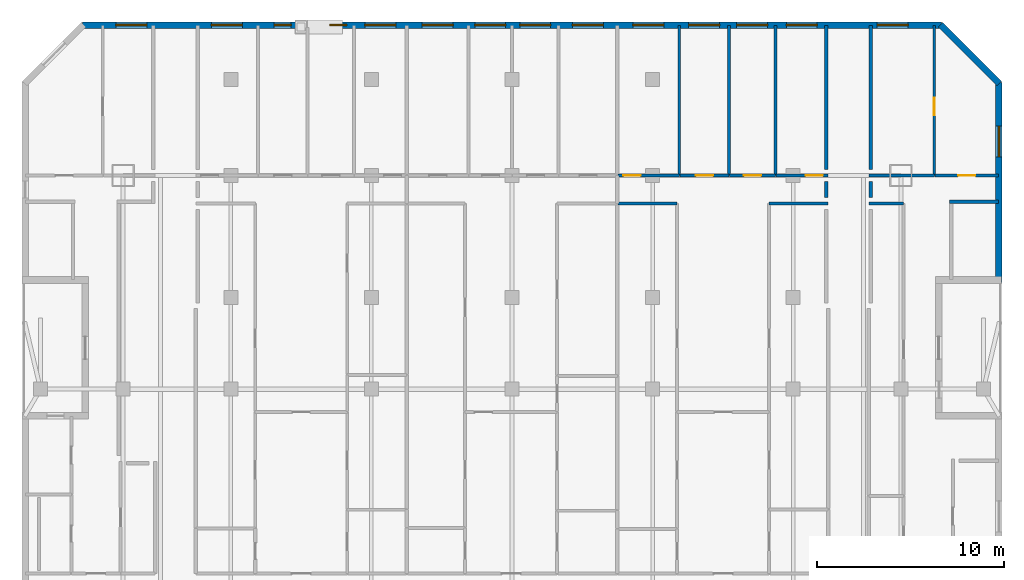
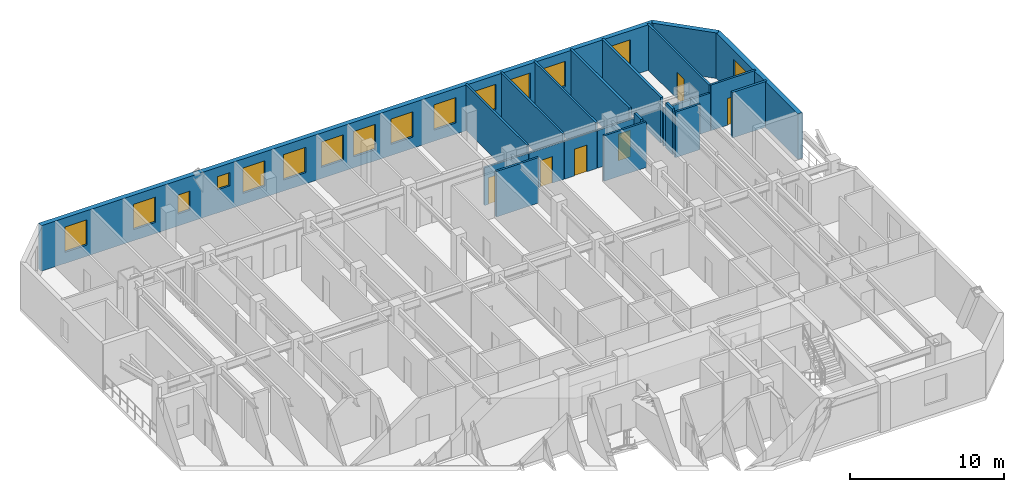
# One storey, part 8 of 11: 21 walls, 15 windows, 6 doors, 21 openings.
"""IFC4 building model written with IfcOpenShell, lengths in metres."""

from ifc_helpers import new_model, si_unit, direction, frame, frame_2d, origin, place, context, subcontext, project, spatial, rectangle, extrude, material, layer, layer_set, type_object, element, fill, save


model = new_model("IFC4")

# Units and contexts
model_context = context("Model", 3, precision=1e-05, world=origin(), true_north=direction((0.0, 1.0)))
body_context = subcontext(model_context, "Body", "Model", "MODEL_VIEW")
ifc_project = project(units=[si_unit("LENGTHUNIT", "METRE"), si_unit("AREAUNIT", "SQUARE_METRE"), si_unit("VOLUMEUNIT", "CUBIC_METRE"), si_unit("PLANEANGLEUNIT", "RADIAN"), si_unit("MASSUNIT", "GRAM", prefix="KILO")], contexts=[model_context])

# Site, building, storey
site_placement = place(None, origin())
site = spatial("IfcSite", under=ifc_project, at=site_placement, CompositionType="ELEMENT")
building_placement = place(site_placement, origin())
building = spatial("IfcBuilding", under=site, at=building_placement, Name="Ventersveld Concourse Tower", CompositionType="ELEMENT")
storey_placement = place(building_placement, frame((0.0, 0.0, 111.85009765625)))
storey = spatial("IfcBuildingStorey", under=building, at=storey_placement, Name="L27", CompositionType="ELEMENT", Elevation=111.85009765625)

# Walls
ifc_material_1 = material(Name="Fire-rated autoclaved aerated masonry blockwork", Category="masonry")
ifc_layer_1 = layer(ifc_material_1, 0.179931640625)
ifc_layer_set_1 = layer_set([ifc_layer_1], Name="Fire-rated autoclaved aerated masonry blockwork")
wall_type_1 = type_object("IfcWallType", Name="WL-CORR-180", PredefinedType="PARTITIONING", material=ifc_layer_set_1)
wall_1_placement = place(storey_placement, frame((47.8798828125, 33.824951171875, 0.0), z_axis=(0.0, 0.0, 1.0), x_axis=(0.0, 1.0, 0.0)))
element("IfcWall", 1, at=wall_1_placement, inside=storey, type_object=wall_type_1, Name="L27 Room Enclosure Wall SP-L27-27NE-LIV", PredefinedType="PARTITIONING", context=body_context, shape_type="SweptSolid", body=[
    extrude(rectangle(XDim=0.85009765625, YDim=0.179931640625, at=frame_2d((0.425048828125, 0.0))), origin(), (0.0, 0.0, 1.0), 3.599853515625),
])
wall_2_placement = place(storey_placement, frame((54.68994140625, 33.590087890625, 0.0), z_axis=(0.0, 0.0, 1.0), x_axis=(-1.0, 0.0, 0.0)))
element("IfcWall", 2, at=wall_2_placement, inside=storey, type_object=wall_type_1, Name="L27 Room Enclosure Wall SP-L27-27NE-LIV", PredefinedType="PARTITIONING", context=body_context, shape_type="SweptSolid", body=[
    extrude(rectangle(XDim=2.6064453125, YDim=0.179931640625, at=frame_2d((1.30322265625, 0.0))), origin(), (0.0, 0.0, 1.0), 3.599853515625),
])
wall_3_placement = place(storey_placement, frame((47.8798828125, 35.324951171875, 0.0), z_axis=(0.0, 0.0, 1.0), x_axis=(0.0, 1.0, 0.0)))
element("IfcWall", 3, at=wall_3_placement, inside=storey, type_object=wall_type_1, Name="L27 Room Enclosure Wall SP-L27-27NE-BR1", PredefinedType="PARTITIONING", context=body_context, shape_type="SweptSolid", body=[
    extrude(rectangle(XDim=7.6650390625, YDim=0.179931640625, at=frame_2d((3.83251953125, 0.0))), origin(), (0.0, 0.0, 1.0), 3.599853515625),
])
wall_4_placement = place(storey_placement, frame((45.52001953125, 34.675048828125, 0.0), z_axis=(0.0, 0.0, 1.0), x_axis=(0.0, -1.0, 0.0)))
element("IfcWall", 4, at=wall_4_placement, inside=storey, type_object=wall_type_1, Name="L27 Room Enclosure Wall SP-L27-27N3-LIV", PredefinedType="PARTITIONING", context=body_context, shape_type="SweptSolid", body=[
    extrude(rectangle(XDim=0.85009765625, YDim=0.179931640625, at=frame_2d((0.425048828125, 0.0))), origin(), (0.0, 0.0, 1.0), 3.599853515625),
])
wall_5_placement = place(storey_placement, frame((45.52001953125, 42.989990234375, 0.0), z_axis=(0.0, 0.0, 1.0), x_axis=(0.0, -1.0, 0.0)))
element("IfcWall", 5, at=wall_5_placement, inside=storey, type_object=wall_type_1, Name="L27 Room Enclosure Wall SP-L27-27N3-BR4", PredefinedType="PARTITIONING", context=body_context, shape_type="SweptSolid", body=[
    extrude(rectangle(XDim=7.6650390625, YDim=0.179931640625, at=frame_2d((3.83251953125, 0.0))), origin(), (0.0, 0.0, 1.0), 3.599853515625),
])
ifc_material_2 = material(Name="Autoclaved aerated masonry blockwork", Category="masonry")
ifc_layer_2 = layer(ifc_material_2, 0.14990234375)
ifc_layer_set_2 = layer_set([ifc_layer_2], Name="Autoclaved aerated masonry blockwork")
wall_type_2 = type_object("IfcWallType", Name="WL-INT-150", PredefinedType="PARTITIONING", material=ifc_layer_set_2)
wall_6_placement = place(storey_placement, frame((47.784912109375, 33.5, 0.0), z_axis=(0.0, 0.0, 1.0), x_axis=(1.0, 0.0, 0.0)))
element("IfcWall", 6, at=wall_6_placement, inside=storey, type_object=wall_type_2, Name="L27 Interior Partition SP-L27-27NE-LIV-SP-L27-27NE-OFFL0", PredefinedType="PARTITIONING", context=body_context, shape_type="SweptSolid", body=[
    extrude(rectangle(XDim=1.862548828125, YDim=0.14990234375, at=frame_2d((0.93115234375, 0.0))), origin(), (0.0, 0.0, 1.0), 3.599853515625),
])
wall_7_placement = place(storey_placement, frame((47.784912109375, 35.0, 0.0), z_axis=(0.0, 0.0, 1.0), x_axis=(1.0, 0.0, 0.0)))
element("IfcWall", 7, at=wall_7_placement, inside=storey, type_object=wall_type_2, Name="L27 Interior Partition SP-L27-27NE-LIV-SP-L27-27NE-BR1", PredefinedType="PARTITIONING", context=body_context, shape_type="SweptSolid", body=[
    extrude(rectangle(XDim=3.498291015625, YDim=0.14990234375, at=frame_2d((1.7490234375, 0.0))), origin(), (0.0, 0.0, 1.0), 2.982666015625),
])

# Wall, opening, door
wall_8_placement = place(storey_placement, frame((51.313232421875, 35.0, 0.0), z_axis=(0.0, 0.0, 1.0), x_axis=(1.0, 0.0, 0.0)))
wall_8 = element("IfcWall", 8, at=wall_8_placement, inside=storey, type_object=wall_type_2, Name="L27 Interior Partition SP-L27-27NE-LIV-SP-L27-27NE-BR2", PredefinedType="PARTITIONING", context=body_context, shape_type="SweptSolid", body=[
    extrude(rectangle(XDim=3.376708984375, YDim=0.14990234375, at=frame_2d((1.6884765625, 0.0))), origin(), (0.0, 0.0, 1.0), 3.599853515625),
])
opening_1_placement = place(wall_8_placement, frame((1.228515625, 0.0, 0.0)))
opening_1 = element("IfcOpeningElement", 9, at=opening_1_placement, cuts=wall_8, Name="Opening ID1", PredefinedType="OPENING", context=body_context, shape_type="SweptSolid", body=[
    extrude(rectangle(XDim=0.919921875, YDim=2.10009765625, at=frame_2d((0.4599609375, 1.050048828125))), frame((0.0, 0.0849609375, 0.0), z_axis=(0.0, -1.0, 0.0), x_axis=(1.0, 0.0, 0.0)), (0.0, 0.0, 1.0), 0.169921875),
])
ifc_material_3 = material(Name="Solid-core hardwood veneer timber", Category="wood")
door_type = type_object("IfcDoorType", Name="DR-ROOM-092", OperationType="NOTDEFINED", PredefinedType="DOOR", material=ifc_material_3)
door_1_placement = place(opening_1_placement, origin())
door_1 = element("IfcDoor", 10, at=door_1_placement, inside=storey, type_object=door_type, Name="L27 Interior Door SP-L27-27NE-LIV to SP-L27-27NE-BR2 (D-L27-1336)", OperationType="SINGLE_SWING_RIGHT", OverallHeight=2.10009765625, OverallWidth=0.919921875, PredefinedType="DOOR", context=body_context, shape_type="SweptSolid", body=[
    extrude(rectangle(XDim=0.919921875, YDim=2.10009765625, at=frame_2d((0.4599609375, 1.050048828125))), frame((0.0, 0.02490234375, 0.0), z_axis=(0.0, -1.0, 0.0), x_axis=(1.0, 0.0, 0.0)), (0.0, 0.0, 1.0), 0.050048828125),
])
fill(opening_1, door_1)

wall_9_placement = place(storey_placement, frame((51.2783203125, 34.9951171875, 0.0), z_axis=(0.0, 0.0, 1.0), x_axis=(0.0, 1.0, 0.0)))
wall_9 = element("IfcWall", 11, at=wall_9_placement, inside=storey, type_object=wall_type_2, Name="L27 Interior Partition SP-L27-27NE-BR1-SP-L27-27NE-BR2", PredefinedType="PARTITIONING", context=body_context, shape_type="SweptSolid", body=[
    extrude(rectangle(XDim=7.994873046875, YDim=0.14990234375, at=frame_2d((3.99755859375, 0.0))), origin(), (0.0, 0.0, 1.0), 3.599853515625),
])
opening_2_placement = place(wall_9_placement, frame((3.22998046875, 0.0, 0.0)))
opening_2 = element("IfcOpeningElement", 12, at=opening_2_placement, cuts=wall_9, Name="Opening ID1", PredefinedType="OPENING", context=body_context, shape_type="SweptSolid", body=[
    extrude(rectangle(XDim=0.919921875, YDim=2.10009765625, at=frame_2d((0.4599609375, 1.050048828125))), frame((0.0, 0.0849609375, 0.0), z_axis=(0.0, -1.0, 0.0), x_axis=(1.0, 0.0, 0.0)), (0.0, 0.0, 1.0), 0.169921875),
])
door_2_placement = place(opening_2_placement, origin())
door_2 = element("IfcDoor", 13, at=door_2_placement, inside=storey, type_object=door_type, Name="L27 Interior Door Flat 27NE Master Bedroom (D-L27-1373)", OperationType="SINGLE_SWING_RIGHT", OverallHeight=2.10009765625, OverallWidth=0.919921875, PredefinedType="DOOR", context=body_context, shape_type="SweptSolid", body=[
    extrude(rectangle(XDim=0.919921875, YDim=2.10009765625, at=frame_2d((0.4599609375, 1.050048828125))), frame((0.0, 0.02490234375, 0.0), z_axis=(0.0, -1.0, 0.0), x_axis=(1.0, 0.0, 0.0)), (0.0, 0.0, 1.0), 0.050048828125),
])
fill(opening_2, door_2)

# Walls
wall_10_placement = place(storey_placement, frame((34.405029296875, 33.5, 0.0), z_axis=(0.0, 0.0, 1.0), x_axis=(1.0, 0.0, 0.0)))
element("IfcWall", 14, at=wall_10_placement, inside=storey, type_object=wall_type_2, Name="L27 Interior Partition SP-L27-27N3-LIV-SP-L27-27N3-DENL", PredefinedType="PARTITIONING", context=body_context, shape_type="SweptSolid", body=[
    extrude(rectangle(XDim=3.1591796875, YDim=0.14990234375, at=frame_2d((1.57958984375, 0.0))), origin(), (0.0, 0.0, 1.0), 3.599853515625),
])
wall_11_placement = place(storey_placement, frame((42.4619140625, 33.5, 0.0), z_axis=(0.0, 0.0, 1.0), x_axis=(1.0, 0.0, 0.0)))
element("IfcWall", 15, at=wall_11_placement, inside=storey, type_object=wall_type_2, Name="L27 Interior Partition SP-L27-27N3-LIV-SP-L27-27N3-DENR", PredefinedType="PARTITIONING", context=body_context, shape_type="SweptSolid", body=[
    extrude(rectangle(XDim=3.153076171875, YDim=0.14990234375, at=frame_2d((1.57666015625, 0.0))), origin(), (0.0, 0.0, 1.0), 3.599853515625),
])

# Wall, opening, door
wall_12_placement = place(storey_placement, frame((34.405029296875, 35.0, 0.0), z_axis=(0.0, 0.0, 1.0), x_axis=(1.0, 0.0, 0.0)))
wall_12 = element("IfcWall", 16, at=wall_12_placement, inside=storey, type_object=wall_type_2, Name="L27 Interior Partition SP-L27-27N3-LIV-SP-L27-27N3-BR1", PredefinedType="PARTITIONING", context=body_context, shape_type="SweptSolid", body=[
    extrude(rectangle(XDim=3.27294921875, YDim=0.14990234375, at=frame_2d((1.636474609375, 0.0))), origin(), (0.0, 0.0, 1.0), 2.982666015625),
])
opening_3_placement = place(wall_12_placement, frame((0.280029296875, 0.0, 0.0)))
opening_3 = element("IfcOpeningElement", 17, at=opening_3_placement, cuts=wall_12, Name="Opening ID1", PredefinedType="OPENING", context=body_context, shape_type="SweptSolid", body=[
    extrude(rectangle(XDim=0.919921875, YDim=2.10009765625, at=frame_2d((0.4599609375, 1.050048828125))), frame((0.0, 0.0849609375, 0.0), z_axis=(0.0, -1.0, 0.0), x_axis=(1.0, 0.0, 0.0)), (0.0, 0.0, 1.0), 0.169921875),
])
door_3_placement = place(opening_3_placement, origin())
door_3 = element("IfcDoor", 18, at=door_3_placement, inside=storey, type_object=door_type, Name="L27 Interior Door SP-L27-27N3-LIV to SP-L27-27N3-BR1 (D-L27-1368)", OperationType="SINGLE_SWING_RIGHT", OverallHeight=2.10009765625, OverallWidth=0.919921875, PredefinedType="DOOR", context=body_context, shape_type="SweptSolid", body=[
    extrude(rectangle(XDim=0.919921875, YDim=2.10009765625, at=frame_2d((0.4599609375, 1.050048828125))), frame((0.0, 0.02490234375, 0.0), z_axis=(0.0, -1.0, 0.0), x_axis=(1.0, 0.0, 0.0)), (0.0, 0.0, 1.0), 0.050048828125),
])
fill(opening_3, door_3)

wall_13_placement = place(storey_placement, frame((37.7080078125, 35.0, 0.0), z_axis=(0.0, 0.0, 1.0), x_axis=(1.0, 0.0, 0.0)))
wall_13 = element("IfcWall", 19, at=wall_13_placement, inside=storey, type_object=wall_type_2, Name="L27 Interior Partition SP-L27-27N3-LIV-SP-L27-27N3-BR2", PredefinedType="PARTITIONING", context=body_context, shape_type="SweptSolid", body=[
    extrude(rectangle(XDim=2.61572265625, YDim=0.14990234375, at=frame_2d((1.307861328125, 0.0))), origin(), (0.0, 0.0, 1.0), 2.982666015625),
])
opening_4_placement = place(wall_13_placement, frame((0.847900390625, 0.0, 0.0)))
opening_4 = element("IfcOpeningElement", 20, at=opening_4_placement, cuts=wall_13, Name="Opening ID1", PredefinedType="OPENING", context=body_context, shape_type="SweptSolid", body=[
    extrude(rectangle(XDim=0.919921875, YDim=2.10009765625, at=frame_2d((0.4599609375, 1.050048828125))), frame((0.0, 0.0849609375, 0.0), z_axis=(0.0, -1.0, 0.0), x_axis=(1.0, 0.0, 0.0)), (0.0, 0.0, 1.0), 0.169921875),
])
door_4_placement = place(opening_4_placement, origin())
door_4 = element("IfcDoor", 21, at=door_4_placement, inside=storey, type_object=door_type, Name="L27 Interior Door SP-L27-27N3-LIV to SP-L27-27N3-BR2 (D-L27-1369)", OperationType="SINGLE_SWING_LEFT", OverallHeight=2.10009765625, OverallWidth=0.919921875, PredefinedType="DOOR", context=body_context, shape_type="SweptSolid", body=[
    extrude(rectangle(XDim=0.919921875, YDim=2.10009765625, at=frame_2d((0.4599609375, 1.050048828125))), frame((0.0, 0.02490234375, 0.0), z_axis=(0.0, -1.0, 0.0), x_axis=(1.0, 0.0, 0.0)), (0.0, 0.0, 1.0), 0.050048828125),
])
fill(opening_4, door_4)

wall_14_placement = place(storey_placement, frame((40.353759765625, 35.0, 0.0), z_axis=(0.0, 0.0, 1.0), x_axis=(1.0, 0.0, 0.0)))
wall_14 = element("IfcWall", 22, at=wall_14_placement, inside=storey, type_object=wall_type_2, Name="L27 Interior Partition SP-L27-27N3-LIV-SP-L27-27N3-BR3", PredefinedType="PARTITIONING", context=body_context, shape_type="SweptSolid", body=[
    extrude(rectangle(XDim=2.451171875, YDim=0.14990234375, at=frame_2d((1.2255859375, 0.0))), origin(), (0.0, 0.0, 1.0), 2.982666015625),
])
opening_5_placement = place(wall_14_placement, frame((0.765625, 0.0, 0.0)))
opening_5 = element("IfcOpeningElement", 23, at=opening_5_placement, cuts=wall_14, Name="Opening ID1", PredefinedType="OPENING", context=body_context, shape_type="SweptSolid", body=[
    extrude(rectangle(XDim=0.919921875, YDim=2.10009765625, at=frame_2d((0.4599609375, 1.050048828125))), frame((0.0, 0.0849609375, 0.0), z_axis=(0.0, -1.0, 0.0), x_axis=(1.0, 0.0, 0.0)), (0.0, 0.0, 1.0), 0.169921875),
])
door_5_placement = place(opening_5_placement, origin())
door_5 = element("IfcDoor", 24, at=door_5_placement, inside=storey, type_object=door_type, Name="L27 Interior Door SP-L27-27N3-LIV to SP-L27-27N3-BR3 (D-L27-1370)", OperationType="SINGLE_SWING_RIGHT", OverallHeight=2.10009765625, OverallWidth=0.919921875, PredefinedType="DOOR", context=body_context, shape_type="SweptSolid", body=[
    extrude(rectangle(XDim=0.919921875, YDim=2.10009765625, at=frame_2d((0.4599609375, 1.050048828125))), frame((0.0, 0.02490234375, 0.0), z_axis=(0.0, -1.0, 0.0), x_axis=(1.0, 0.0, 0.0)), (0.0, 0.0, 1.0), 0.050048828125),
])
fill(opening_5, door_5)

wall_15_placement = place(storey_placement, frame((42.8349609375, 35.0, 0.0), z_axis=(0.0, 0.0, 1.0), x_axis=(1.0, 0.0, 0.0)))
wall_15 = element("IfcWall", 25, at=wall_15_placement, inside=storey, type_object=wall_type_2, Name="L27 Interior Partition SP-L27-27N3-LIV-SP-L27-27N3-BR4", PredefinedType="PARTITIONING", context=body_context, shape_type="SweptSolid", body=[
    extrude(rectangle(XDim=2.780029296875, YDim=0.14990234375, at=frame_2d((1.39013671875, 0.0))), origin(), (0.0, 0.0, 1.0), 2.982666015625),
])
opening_6_placement = place(wall_15_placement, frame((1.580078125, 0.0, 0.0)))
opening_6 = element("IfcOpeningElement", 26, at=opening_6_placement, cuts=wall_15, Name="Opening ID1", PredefinedType="OPENING", context=body_context, shape_type="SweptSolid", body=[
    extrude(rectangle(XDim=0.919921875, YDim=2.10009765625, at=frame_2d((0.4599609375, 1.050048828125))), frame((0.0, 0.0849609375, 0.0), z_axis=(0.0, -1.0, 0.0), x_axis=(1.0, 0.0, 0.0)), (0.0, 0.0, 1.0), 0.169921875),
])
door_6_placement = place(opening_6_placement, origin())
door_6 = element("IfcDoor", 27, at=door_6_placement, inside=storey, type_object=door_type, Name="L27 Interior Door SP-L27-27N3-LIV to SP-L27-27N3-BR4 (D-L27-1371)", OperationType="SINGLE_SWING_LEFT", OverallHeight=2.10009765625, OverallWidth=0.919921875, PredefinedType="DOOR", context=body_context, shape_type="SweptSolid", body=[
    extrude(rectangle(XDim=0.919921875, YDim=2.10009765625, at=frame_2d((0.4599609375, 1.050048828125))), frame((0.0, 0.02490234375, 0.0), z_axis=(0.0, -1.0, 0.0), x_axis=(1.0, 0.0, 0.0)), (0.0, 0.0, 1.0), 0.050048828125),
])
fill(opening_6, door_6)

# Walls
for number, where, z_axis, x_axis, name in (
    (28, (37.673095703125, 34.9951171875, 0.0), (0.0, 0.0, 1.0), (0.0, 1.0, 0.0), "L27 Interior Partition SP-L27-27N3-BR1-SP-L27-27N3-BR2"),
    (29, (40.318603515625, 34.9951171875, 0.0), (0.0, 0.0, 1.0), (0.0, 1.0, 0.0), "L27 Interior Partition SP-L27-27N3-BR2-SP-L27-27N3-BR3"),
    (30, (42.800048828125, 34.9951171875, 0.0), (0.0, 0.0, 1.0), (0.0, 1.0, 0.0), "L27 Interior Partition SP-L27-27N3-BR3-SP-L27-27N3-BR4"),
):
    element("IfcWall", number, at=place(storey_placement, frame(where, z_axis=z_axis, x_axis=x_axis)), inside=storey, type_object=wall_type_2, Name=name, PredefinedType="PARTITIONING", context=body_context, shape_type="SweptSolid", body=[
        extrude(rectangle(XDim=7.994873046875, YDim=0.14990234375, at=frame_2d((3.99755859375, 0.0))), origin(), (0.0, 0.0, 1.0), 3.599853515625),
    ])

# Wall, opening, window
ifc_material_4 = material(Name="Precast concrete C45/55", Category="concrete")
ifc_layer_3 = layer(ifc_material_4, 0.35009765625)
ifc_layer_set_3 = layer_set([ifc_layer_3], Name="Precast concrete C45/55")
wall_type_3 = type_object("IfcWallType", Name="WL-PREC-350", PredefinedType="SOLIDWALL", material=ifc_layer_set_3)
wall_16_placement = place(storey_placement, frame((54.72509765625, 29.2900390625, 0.0), z_axis=(0.0, 0.0, 1.0), x_axis=(0.0, 1.0, 0.0)))
wall_16 = element("IfcWall", 31, at=wall_16_placement, inside=storey, type_object=wall_type_3, Name="L27 Highveld Precast Facade Wall E07", PredefinedType="SOLIDWALL", context=body_context, shape_type="SweptSolid", body=[
    extrude(rectangle(XDim=10.669921875, YDim=0.35009765625, at=frame_2d((5.3349609375, 0.0))), origin(), (0.0, 0.0, 1.0), 3.599853515625),
])
opening_7_placement = place(wall_16_placement, frame((6.697509765625, 0.0, 0.8798828125)))
opening_7 = element("IfcOpeningElement", 32, at=opening_7_placement, cuts=wall_16, Name="Opening W6", PredefinedType="OPENING", context=body_context, shape_type="SweptSolid", body=[
    extrude(rectangle(XDim=1.64990234375, YDim=2.0, at=frame_2d((0.824951171875, 1.0))), frame((0.0, 0.18505859375, 0.0), z_axis=(0.0, -1.0, 0.0), x_axis=(1.0, 0.0, 0.0)), (0.0, 0.0, 1.0), 0.3701171875),
])
ifc_material_5 = material(Name="Tempered acoustic Low-E IGU", Category="glass")
window_type_1 = type_object("IfcWindowType", Name="WIN-165x200", PartitioningType="SINGLE_PANEL", PredefinedType="WINDOW", material=ifc_material_5)
window_1_placement = place(opening_7_placement, origin())
window_1 = element("IfcWindow", 33, at=window_1_placement, inside=storey, type_object=window_type_1, Name="L27 Punched Low-E Window W-0328", OverallHeight=2.0, OverallWidth=1.64990234375, PartitioningType="SINGLE_PANEL", PredefinedType="WINDOW", context=body_context, shape_type="SweptSolid", body=[
    extrude(rectangle(XDim=1.64990234375, YDim=2.0, at=frame_2d((0.824951171875, 1.0))), frame((0.0, 0.030029296875, 0.0), z_axis=(0.0, -1.0, 0.0), x_axis=(1.0, 0.0, 0.0)), (0.0, 0.0, 1.0), 0.06005859375),
])
fill(opening_7, window_1)

# Wall
wall_17_placement = place(storey_placement, frame((54.748046875, 39.904541015625, 0.0), z_axis=(0.0, 0.0, 1.0), x_axis=(-0.707106781187, 0.707106781187, 0.0)))
element("IfcWall", 34, at=wall_17_placement, inside=storey, type_object=wall_type_3, Name="L27 Highveld Precast Facade Wall E08", PredefinedType="SOLIDWALL", context=body_context, shape_type="SweptSolid", body=[
    extrude(rectangle(XDim=4.445556640625, YDim=0.35009765625, at=frame_2d((2.22265625, 0.0))), origin(), (0.0, 0.0, 1.0), 3.599853515625),
])

# Wall, openings, windows
wall_18_placement = place(storey_placement, frame((51.659912109375, 43.02490234375, 0.0), z_axis=(0.0, 0.0, 1.0), x_axis=(-1.0, 0.0, 0.0)))
wall_18 = element("IfcWall", 35, at=wall_18_placement, inside=storey, type_object=wall_type_3, Name="L27 Highveld Precast Facade Wall E09", PredefinedType="SOLIDWALL", context=body_context, shape_type="SweptSolid", body=[
    extrude(rectangle(XDim=45.81982421875, YDim=0.35009765625, at=frame_2d((22.909912109375, 0.0))), origin(), (0.0, 0.0, 1.0), 3.599853515625),
])
opening_8_placement = place(wall_18_placement, frame((42.392578125, 0.0, 0.8798828125)))
opening_8 = element("IfcOpeningElement", 36, at=opening_8_placement, cuts=wall_18, Name="Opening W6", PredefinedType="OPENING", context=body_context, shape_type="SweptSolid", body=[
    extrude(rectangle(XDim=1.64990234375, YDim=2.0, at=frame_2d((0.824951171875, 1.0))), frame((0.0, 0.18505859375, 0.0), z_axis=(0.0, -1.0, 0.0), x_axis=(1.0, 0.0, 0.0)), (0.0, 0.0, 1.0), 0.3701171875),
])
opening_9_placement = place(wall_18_placement, frame((1.777587890625, 0.0, 0.8798828125)))
opening_9 = element("IfcOpeningElement", 37, at=opening_9_placement, cuts=wall_18, Name="Opening W6", PredefinedType="OPENING", context=body_context, shape_type="SweptSolid", body=[
    extrude(rectangle(XDim=1.64990234375, YDim=2.0, at=frame_2d((0.824951171875, 1.0))), frame((0.0, 0.18505859375, 0.0), z_axis=(0.0, -1.0, 0.0), x_axis=(1.0, 0.0, 0.0)), (0.0, 0.0, 1.0), 0.3701171875),
])
opening_10_placement = place(wall_18_placement, frame((37.29345703125, 0.0, 0.8798828125)))
opening_10 = element("IfcOpeningElement", 38, at=opening_10_placement, cuts=wall_18, Name="Opening W6", PredefinedType="OPENING", context=body_context, shape_type="SweptSolid", body=[
    extrude(rectangle(XDim=1.64990234375, YDim=2.0, at=frame_2d((0.824951171875, 1.0))), frame((0.0, 0.18505859375, 0.0), z_axis=(0.0, -1.0, 0.0), x_axis=(1.0, 0.0, 0.0)), (0.0, 0.0, 1.0), 0.3701171875),
])
opening_11_placement = place(wall_18_placement, frame((34.694091796875, 0.0, 0.949951171875)))
opening_11 = element("IfcOpeningElement", 39, at=opening_11_placement, cuts=wall_18, Name="Opening W4", PredefinedType="OPENING", context=body_context, shape_type="SweptSolid", body=[
    extrude(rectangle(XDim=0.89990234375, YDim=1.5, at=frame_2d((0.449951171875, 0.75))), frame((0.0, 0.18505859375, 0.0), z_axis=(0.0, -1.0, 0.0), x_axis=(1.0, 0.0, 0.0)), (0.0, 0.0, 1.0), 0.3701171875),
])
opening_12_placement = place(wall_18_placement, frame((31.734375, 0.0, 1.820068359375)))
opening_12 = element("IfcOpeningElement", 40, at=opening_12_placement, cuts=wall_18, Name="Opening W9", PredefinedType="OPENING", context=body_context, shape_type="SweptSolid", body=[
    extrude(rectangle(XDim=0.89990234375, YDim=1.050048828125, at=frame_2d((0.449951171875, 0.52490234375))), frame((0.0, 0.18505859375, 0.0), z_axis=(0.0, -1.0, 0.0), x_axis=(1.0, 0.0, 0.0)), (0.0, 0.0, 1.0), 0.3701171875),
])
opening_13_placement = place(wall_18_placement, frame((29.110107421875, 0.0, 0.8798828125)))
opening_13 = element("IfcOpeningElement", 41, at=opening_13_placement, cuts=wall_18, Name="Opening W6", PredefinedType="OPENING", context=body_context, shape_type="SweptSolid", body=[
    extrude(rectangle(XDim=1.64990234375, YDim=2.0, at=frame_2d((0.824951171875, 1.0))), frame((0.0, 0.18505859375, 0.0), z_axis=(0.0, -1.0, 0.0), x_axis=(1.0, 0.0, 0.0)), (0.0, 0.0, 1.0), 0.3701171875),
])
opening_14_placement = place(wall_18_placement, frame((26.053466796875, 0.0, 0.8798828125)))
opening_14 = element("IfcOpeningElement", 42, at=opening_14_placement, cuts=wall_18, Name="Opening W6", PredefinedType="OPENING", context=body_context, shape_type="SweptSolid", body=[
    extrude(rectangle(XDim=1.64990234375, YDim=2.0, at=frame_2d((0.824951171875, 1.0))), frame((0.0, 0.18505859375, 0.0), z_axis=(0.0, -1.0, 0.0), x_axis=(1.0, 0.0, 0.0)), (0.0, 0.0, 1.0), 0.3701171875),
])
opening_15_placement = place(wall_18_placement, frame((23.243408203125, 0.0, 0.8798828125)))
opening_15 = element("IfcOpeningElement", 43, at=opening_15_placement, cuts=wall_18, Name="Opening W6", PredefinedType="OPENING", context=body_context, shape_type="SweptSolid", body=[
    extrude(rectangle(XDim=1.64990234375, YDim=2.0, at=frame_2d((0.824951171875, 1.0))), frame((0.0, 0.18505859375, 0.0), z_axis=(0.0, -1.0, 0.0), x_axis=(1.0, 0.0, 0.0)), (0.0, 0.0, 1.0), 0.3701171875),
])
opening_16_placement = place(wall_18_placement, frame((20.844482421875, 0.0, 0.8798828125)))
opening_16 = element("IfcOpeningElement", 44, at=opening_16_placement, cuts=wall_18, Name="Opening W6", PredefinedType="OPENING", context=body_context, shape_type="SweptSolid", body=[
    extrude(rectangle(XDim=1.64990234375, YDim=2.0, at=frame_2d((0.824951171875, 1.0))), frame((0.0, 0.18505859375, 0.0), z_axis=(0.0, -1.0, 0.0), x_axis=(1.0, 0.0, 0.0)), (0.0, 0.0, 1.0), 0.3701171875),
])
opening_17_placement = place(wall_18_placement, frame((18.034423828125, 0.0, 0.8798828125)))
opening_17 = element("IfcOpeningElement", 45, at=opening_17_placement, cuts=wall_18, Name="Opening W6", PredefinedType="OPENING", context=body_context, shape_type="SweptSolid", body=[
    extrude(rectangle(XDim=1.64990234375, YDim=2.0, at=frame_2d((0.824951171875, 1.0))), frame((0.0, 0.18505859375, 0.0), z_axis=(0.0, -1.0, 0.0), x_axis=(1.0, 0.0, 0.0)), (0.0, 0.0, 1.0), 0.3701171875),
])
opening_18_placement = place(wall_18_placement, frame((14.8134765625, 0.0, 0.8798828125)))
opening_18 = element("IfcOpeningElement", 46, at=opening_18_placement, cuts=wall_18, Name="Opening W6", PredefinedType="OPENING", context=body_context, shape_type="SweptSolid", body=[
    extrude(rectangle(XDim=1.64990234375, YDim=2.0, at=frame_2d((0.824951171875, 1.0))), frame((0.0, 0.18505859375, 0.0), z_axis=(0.0, -1.0, 0.0), x_axis=(1.0, 0.0, 0.0)), (0.0, 0.0, 1.0), 0.3701171875),
])
opening_19_placement = place(wall_18_placement, frame((11.839111328125, 0.0, 0.8798828125)))
opening_19 = element("IfcOpeningElement", 47, at=opening_19_placement, cuts=wall_18, Name="Opening W6", PredefinedType="OPENING", context=body_context, shape_type="SweptSolid", body=[
    extrude(rectangle(XDim=1.64990234375, YDim=2.0, at=frame_2d((0.824951171875, 1.0))), frame((0.0, 0.18505859375, 0.0), z_axis=(0.0, -1.0, 0.0), x_axis=(1.0, 0.0, 0.0)), (0.0, 0.0, 1.0), 0.3701171875),
])
opening_20_placement = place(wall_18_placement, frame((9.275634765625, 0.0, 0.8798828125)))
opening_20 = element("IfcOpeningElement", 48, at=opening_20_placement, cuts=wall_18, Name="Opening W6", PredefinedType="OPENING", context=body_context, shape_type="SweptSolid", body=[
    extrude(rectangle(XDim=1.64990234375, YDim=2.0, at=frame_2d((0.824951171875, 1.0))), frame((0.0, 0.18505859375, 0.0), z_axis=(0.0, -1.0, 0.0), x_axis=(1.0, 0.0, 0.0)), (0.0, 0.0, 1.0), 0.3701171875),
])
opening_21_placement = place(wall_18_placement, frame((6.6298828125, 0.0, 0.8798828125)))
opening_21 = element("IfcOpeningElement", 49, at=opening_21_placement, cuts=wall_18, Name="Opening W6", PredefinedType="OPENING", context=body_context, shape_type="SweptSolid", body=[
    extrude(rectangle(XDim=1.64990234375, YDim=2.0, at=frame_2d((0.824951171875, 1.0))), frame((0.0, 0.18505859375, 0.0), z_axis=(0.0, -1.0, 0.0), x_axis=(1.0, 0.0, 0.0)), (0.0, 0.0, 1.0), 0.3701171875),
])
window_type_2 = type_object("IfcWindowType", Name="WIN-090x105", PartitioningType="SINGLE_PANEL", PredefinedType="WINDOW", material=ifc_material_5)
window_2_placement = place(opening_12_placement, origin())
window_2 = element("IfcWindow", 50, at=window_2_placement, inside=storey, type_object=window_type_2, Name="L27 Punched Low-E Window W-0331", OverallHeight=1.050048828125, OverallWidth=0.89990234375, PartitioningType="SINGLE_PANEL", PredefinedType="WINDOW", context=body_context, shape_type="SweptSolid", body=[
    extrude(rectangle(XDim=0.89990234375, YDim=1.050048828125, at=frame_2d((0.449951171875, 0.52490234375))), frame((0.0, 0.030029296875, 0.0), z_axis=(0.0, -1.0, 0.0), x_axis=(1.0, 0.0, 0.0)), (0.0, 0.0, 1.0), 0.06005859375),
])
fill(opening_12, window_2)
window_type_3 = type_object("IfcWindowType", Name="WIN-090x150", PartitioningType="SINGLE_PANEL", PredefinedType="WINDOW", material=ifc_material_5)
window_3_placement = place(opening_11_placement, origin())
window_3 = element("IfcWindow", 51, at=window_3_placement, inside=storey, type_object=window_type_3, Name="L27 Punched Low-E Window W-0330", OverallHeight=1.5, OverallWidth=0.89990234375, PartitioningType="SINGLE_PANEL", PredefinedType="WINDOW", context=body_context, shape_type="SweptSolid", body=[
    extrude(rectangle(XDim=0.89990234375, YDim=1.5, at=frame_2d((0.449951171875, 0.75))), frame((0.0, 0.030029296875, 0.0), z_axis=(0.0, -1.0, 0.0), x_axis=(1.0, 0.0, 0.0)), (0.0, 0.0, 1.0), 0.06005859375),
])
fill(opening_11, window_3)
window_4_placement = place(opening_8_placement, origin())
window_4 = element("IfcWindow", 52, at=window_4_placement, inside=storey, type_object=window_type_1, Name="L27 Punched Low-E Window W-0324", OverallHeight=2.0, OverallWidth=1.64990234375, PartitioningType="SINGLE_PANEL", PredefinedType="WINDOW", context=body_context, shape_type="SweptSolid", body=[
    extrude(rectangle(XDim=1.64990234375, YDim=2.0, at=frame_2d((0.824951171875, 1.0))), frame((0.0, 0.030029296875, 0.0), z_axis=(0.0, -1.0, 0.0), x_axis=(1.0, 0.0, 0.0)), (0.0, 0.0, 1.0), 0.06005859375),
])
fill(opening_8, window_4)
window_5_placement = place(opening_9_placement, origin())
window_5 = element("IfcWindow", 53, at=window_5_placement, inside=storey, type_object=window_type_1, Name="L27 Punched Low-E Window W-0327", OverallHeight=2.0, OverallWidth=1.64990234375, PartitioningType="SINGLE_PANEL", PredefinedType="WINDOW", context=body_context, shape_type="SweptSolid", body=[
    extrude(rectangle(XDim=1.64990234375, YDim=2.0, at=frame_2d((0.824951171875, 1.0))), frame((0.0, 0.030029296875, 0.0), z_axis=(0.0, -1.0, 0.0), x_axis=(1.0, 0.0, 0.0)), (0.0, 0.0, 1.0), 0.06005859375),
])
fill(opening_9, window_5)
window_6_placement = place(opening_10_placement, origin())
window_6 = element("IfcWindow", 54, at=window_6_placement, inside=storey, type_object=window_type_1, Name="L27 Punched Low-E Window W-0329", OverallHeight=2.0, OverallWidth=1.64990234375, PartitioningType="SINGLE_PANEL", PredefinedType="WINDOW", context=body_context, shape_type="SweptSolid", body=[
    extrude(rectangle(XDim=1.64990234375, YDim=2.0, at=frame_2d((0.824951171875, 1.0))), frame((0.0, 0.030029296875, 0.0), z_axis=(0.0, -1.0, 0.0), x_axis=(1.0, 0.0, 0.0)), (0.0, 0.0, 1.0), 0.06005859375),
])
fill(opening_10, window_6)
window_7_placement = place(opening_13_placement, origin())
window_7 = element("IfcWindow", 55, at=window_7_placement, inside=storey, type_object=window_type_1, Name="L27 Punched Low-E Window W-0332", OverallHeight=2.0, OverallWidth=1.64990234375, PartitioningType="SINGLE_PANEL", PredefinedType="WINDOW", context=body_context, shape_type="SweptSolid", body=[
    extrude(rectangle(XDim=1.64990234375, YDim=2.0, at=frame_2d((0.824951171875, 1.0))), frame((0.0, 0.030029296875, 0.0), z_axis=(0.0, -1.0, 0.0), x_axis=(1.0, 0.0, 0.0)), (0.0, 0.0, 1.0), 0.06005859375),
])
fill(opening_13, window_7)
window_8_placement = place(opening_14_placement, origin())
window_8 = element("IfcWindow", 56, at=window_8_placement, inside=storey, type_object=window_type_1, Name="L27 Punched Low-E Window W-0333", OverallHeight=2.0, OverallWidth=1.64990234375, PartitioningType="SINGLE_PANEL", PredefinedType="WINDOW", context=body_context, shape_type="SweptSolid", body=[
    extrude(rectangle(XDim=1.64990234375, YDim=2.0, at=frame_2d((0.824951171875, 1.0))), frame((0.0, 0.030029296875, 0.0), z_axis=(0.0, -1.0, 0.0), x_axis=(1.0, 0.0, 0.0)), (0.0, 0.0, 1.0), 0.06005859375),
])
fill(opening_14, window_8)
window_9_placement = place(opening_15_placement, origin())
window_9 = element("IfcWindow", 57, at=window_9_placement, inside=storey, type_object=window_type_1, Name="L27 Punched Low-E Window W-0334", OverallHeight=2.0, OverallWidth=1.64990234375, PartitioningType="SINGLE_PANEL", PredefinedType="WINDOW", context=body_context, shape_type="SweptSolid", body=[
    extrude(rectangle(XDim=1.64990234375, YDim=2.0, at=frame_2d((0.824951171875, 1.0))), frame((0.0, 0.030029296875, 0.0), z_axis=(0.0, -1.0, 0.0), x_axis=(1.0, 0.0, 0.0)), (0.0, 0.0, 1.0), 0.06005859375),
])
fill(opening_15, window_9)
window_10_placement = place(opening_16_placement, origin())
window_10 = element("IfcWindow", 58, at=window_10_placement, inside=storey, type_object=window_type_1, Name="L27 Punched Low-E Window W-0335", OverallHeight=2.0, OverallWidth=1.64990234375, PartitioningType="SINGLE_PANEL", PredefinedType="WINDOW", context=body_context, shape_type="SweptSolid", body=[
    extrude(rectangle(XDim=1.64990234375, YDim=2.0, at=frame_2d((0.824951171875, 1.0))), frame((0.0, 0.030029296875, 0.0), z_axis=(0.0, -1.0, 0.0), x_axis=(1.0, 0.0, 0.0)), (0.0, 0.0, 1.0), 0.06005859375),
])
fill(opening_16, window_10)
window_11_placement = place(opening_17_placement, origin())
window_11 = element("IfcWindow", 59, at=window_11_placement, inside=storey, type_object=window_type_1, Name="L27 Punched Low-E Window W-0336", OverallHeight=2.0, OverallWidth=1.64990234375, PartitioningType="SINGLE_PANEL", PredefinedType="WINDOW", context=body_context, shape_type="SweptSolid", body=[
    extrude(rectangle(XDim=1.64990234375, YDim=2.0, at=frame_2d((0.824951171875, 1.0))), frame((0.0, 0.030029296875, 0.0), z_axis=(0.0, -1.0, 0.0), x_axis=(1.0, 0.0, 0.0)), (0.0, 0.0, 1.0), 0.06005859375),
])
fill(opening_17, window_11)
window_12_placement = place(opening_18_placement, origin())
window_12 = element("IfcWindow", 60, at=window_12_placement, inside=storey, type_object=window_type_1, Name="L27 Punched Low-E Window W-0337", OverallHeight=2.0, OverallWidth=1.64990234375, PartitioningType="SINGLE_PANEL", PredefinedType="WINDOW", context=body_context, shape_type="SweptSolid", body=[
    extrude(rectangle(XDim=1.64990234375, YDim=2.0, at=frame_2d((0.824951171875, 1.0))), frame((0.0, 0.030029296875, 0.0), z_axis=(0.0, -1.0, 0.0), x_axis=(1.0, 0.0, 0.0)), (0.0, 0.0, 1.0), 0.06005859375),
])
fill(opening_18, window_12)
window_13_placement = place(opening_19_placement, origin())
window_13 = element("IfcWindow", 61, at=window_13_placement, inside=storey, type_object=window_type_1, Name="L27 Punched Low-E Window W-0338", OverallHeight=2.0, OverallWidth=1.64990234375, PartitioningType="SINGLE_PANEL", PredefinedType="WINDOW", context=body_context, shape_type="SweptSolid", body=[
    extrude(rectangle(XDim=1.64990234375, YDim=2.0, at=frame_2d((0.824951171875, 1.0))), frame((0.0, 0.030029296875, 0.0), z_axis=(0.0, -1.0, 0.0), x_axis=(1.0, 0.0, 0.0)), (0.0, 0.0, 1.0), 0.06005859375),
])
fill(opening_19, window_13)
window_14_placement = place(opening_20_placement, origin())
window_14 = element("IfcWindow", 62, at=window_14_placement, inside=storey, type_object=window_type_1, Name="L27 Punched Low-E Window W-0339", OverallHeight=2.0, OverallWidth=1.64990234375, PartitioningType="SINGLE_PANEL", PredefinedType="WINDOW", context=body_context, shape_type="SweptSolid", body=[
    extrude(rectangle(XDim=1.64990234375, YDim=2.0, at=frame_2d((0.824951171875, 1.0))), frame((0.0, 0.030029296875, 0.0), z_axis=(0.0, -1.0, 0.0), x_axis=(1.0, 0.0, 0.0)), (0.0, 0.0, 1.0), 0.06005859375),
])
fill(opening_20, window_14)
window_15_placement = place(opening_21_placement, origin())
window_15 = element("IfcWindow", 63, at=window_15_placement, inside=storey, type_object=window_type_1, Name="L27 Punched Low-E Window W-0340", OverallHeight=2.0, OverallWidth=1.64990234375, PartitioningType="SINGLE_PANEL", PredefinedType="WINDOW", context=body_context, shape_type="SweptSolid", body=[
    extrude(rectangle(XDim=1.64990234375, YDim=2.0, at=frame_2d((0.824951171875, 1.0))), frame((0.0, 0.030029296875, 0.0), z_axis=(0.0, -1.0, 0.0), x_axis=(1.0, 0.0, 0.0)), (0.0, 0.0, 1.0), 0.06005859375),
])
fill(opening_21, window_15)

save(model, "model.ifc")
